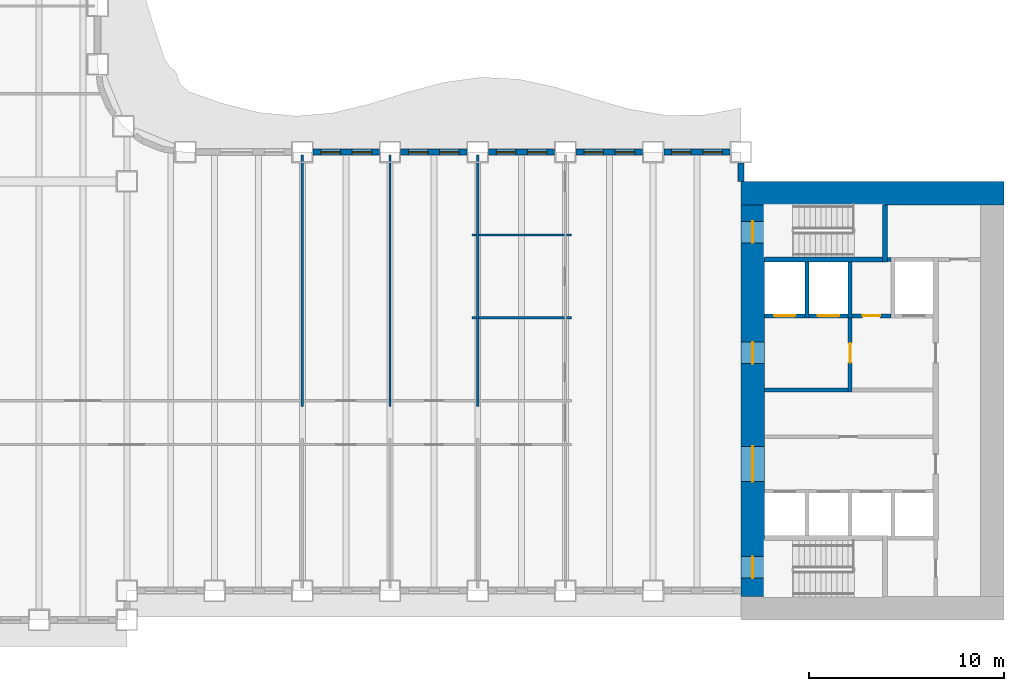
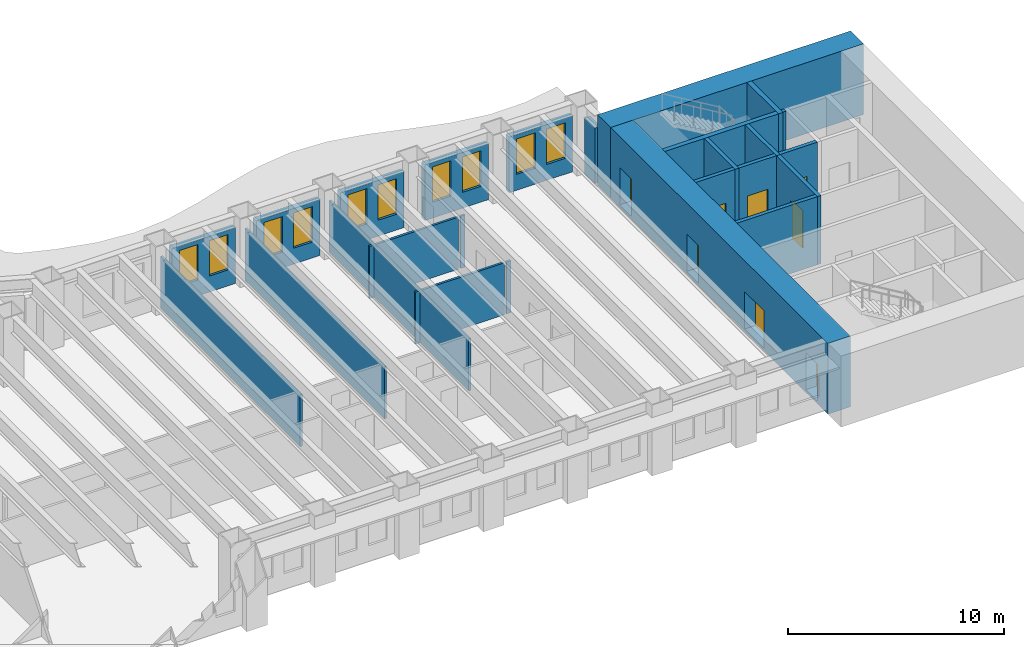
# One storey, part 6 of 15: 27 walls, 10 windows, 8 doors, 18 openings.
"""IFC4 building model written with IfcOpenShell, lengths in metres."""

from ifc_helpers import new_model, si_unit, direction, frame, frame_2d, origin, place, context, subcontext, project, spatial, rectangle, extrude, material, layer, layer_set, type_object, element, fill, save


model = new_model("IFC4")

# Units and contexts
model_context = context("Model", 3, precision=1e-05, world=origin(), true_north=direction((0.0, 1.0)))
body_context = subcontext(model_context, "Body", "Model", "MODEL_VIEW")
ifc_project = project(units=[si_unit("LENGTHUNIT", "METRE"), si_unit("AREAUNIT", "SQUARE_METRE"), si_unit("VOLUMEUNIT", "CUBIC_METRE"), si_unit("PLANEANGLEUNIT", "RADIAN"), si_unit("MASSUNIT", "GRAM", prefix="KILO")], contexts=[model_context])

# Site, building, storey
site_placement = place(None, origin())
site = spatial("IfcSite", under=ifc_project, at=site_placement, CompositionType="ELEMENT")
building_placement = place(site_placement, origin())
building = spatial("IfcBuilding", under=site, at=building_placement, Name="Sennacour Bend Tower", CompositionType="ELEMENT")
storey_placement = place(building_placement, frame((0.0, 0.0, 61.0)))
storey = spatial("IfcBuildingStorey", under=building, at=storey_placement, Name="L13", CompositionType="ELEMENT", Elevation=61.0)

# Wall
ifc_material_1 = material(Name="Concrete C80/95", Category="concrete")
ifc_layer_1 = layer(ifc_material_1, 1.199951171875, Name="Concrete C80/95", Category="concrete")
ifc_layer_set_1 = layer_set([ifc_layer_1], Name="Concrete C80/95")
wall_type_1 = type_object("IfcWallType", Name="Core wall 1200 C80/95", PredefinedType="SHEAR", material=ifc_layer_set_1)
wall_1_placement = place(storey_placement, frame((54.0, 21.89990234375, -0.14990234375), z_axis=(0.0, 0.0, 1.0), x_axis=(1.0, 0.0, 0.0)))
element("IfcWall", 1, at=wall_1_placement, inside=storey, type_object=wall_type_1, Name="Core A wall L13 N", PredefinedType="SHEAR", context=body_context, shape_type="SweptSolid", body=[
    extrude(rectangle(XDim=13.5, YDim=1.199951171875, at=frame_2d((6.75, 0.0))), origin(), (0.0, 0.0, 1.0), 4.0),
])

# Wall, openings, doors
wall_2_placement = place(storey_placement, frame((54.60009765625, 1.199951171875, -0.14990234375), z_axis=(0.0, 0.0, 1.0), x_axis=(0.0, 1.0, 0.0)))
wall_2 = element("IfcWall", 2, at=wall_2_placement, inside=storey, type_object=wall_type_1, Name="Core A wall L13 W", PredefinedType="SHEAR", context=body_context, shape_type="SweptSolid", body=[
    extrude(rectangle(XDim=20.10009765625, YDim=1.199951171875, at=frame_2d((10.050048828125, 0.0))), origin(), (0.0, 0.0, 1.0), 4.0),
])
opening_1_placement = place(wall_2_placement, frame((5.89990234375, 0.0, 0.14990234375)))
opening_1 = element("IfcOpeningElement", 3, at=opening_1_placement, cuts=wall_2, Name="Opening CD", PredefinedType="OPENING", context=body_context, shape_type="SweptSolid", body=[
    extrude(rectangle(XDim=1.800048828125, YDim=2.10009765625, at=frame_2d((0.89990234375, 1.050048828125))), frame((0.0, 0.60986328125, 0.0), z_axis=(0.0, -1.0, 0.0), x_axis=(1.0, 0.0, 0.0)), (0.0, 0.0, 1.0), 1.219970703125),
])
opening_2_placement = place(wall_2_placement, frame((11.949951171875, 0.0, 0.14990234375)))
opening_2 = element("IfcOpeningElement", 4, at=opening_2_placement, cuts=wall_2, Name="Opening FD", PredefinedType="OPENING", context=body_context, shape_type="SweptSolid", body=[
    extrude(rectangle(XDim=1.10009765625, YDim=2.10009765625, at=frame_2d((0.550048828125, 1.050048828125))), frame((0.0, 0.60986328125, 0.0), z_axis=(0.0, -1.0, 0.0), x_axis=(1.0, 0.0, 0.0)), (0.0, 0.0, 1.0), 1.219970703125),
])
opening_3_placement = place(wall_2_placement, frame((0.949951171875, 0.0, 0.14990234375)))
opening_3 = element("IfcOpeningElement", 5, at=opening_3_placement, cuts=wall_2, Name="Opening SD", PredefinedType="OPENING", context=body_context, shape_type="SweptSolid", body=[
    extrude(rectangle(XDim=1.10009765625, YDim=2.10009765625, at=frame_2d((0.550048828125, 1.050048828125))), frame((0.0, 0.60986328125, 0.0), z_axis=(0.0, -1.0, 0.0), x_axis=(1.0, 0.0, 0.0)), (0.0, 0.0, 1.0), 1.219970703125),
])
opening_4_placement = place(wall_2_placement, frame((18.14990234375, 0.0, 0.14990234375)))
opening_4 = element("IfcOpeningElement", 6, at=opening_4_placement, cuts=wall_2, Name="Opening SD", PredefinedType="OPENING", context=body_context, shape_type="SweptSolid", body=[
    extrude(rectangle(XDim=1.10009765625, YDim=2.10009765625, at=frame_2d((0.550048828125, 1.050048828125))), frame((0.0, 0.60986328125, 0.0), z_axis=(0.0, -1.0, 0.0), x_axis=(1.0, 0.0, 0.0)), (0.0, 0.0, 1.0), 1.219970703125),
])
ifc_material_2 = material(Name="Painted steel", Category="steel")
door_type_1 = type_object("IfcDoorType", Name="DR-FFL-1100", OperationType="NOTDEFINED", PredefinedType="DOOR", material=ifc_material_2)
door_1_placement = place(opening_2_placement, origin())
door_1 = element("IfcDoor", 7, at=door_1_placement, inside=storey, type_object=door_type_1, Name="Door", OperationType="SINGLE_SWING_RIGHT", OverallHeight=2.10009765625, OverallWidth=1.10009765625, PredefinedType="DOOR", context=body_context, shape_type="SweptSolid", body=[
    extrude(rectangle(XDim=1.10009765625, YDim=2.10009765625, at=frame_2d((0.550048828125, 1.050048828125))), frame((0.0, 0.02490234375, 0.0), z_axis=(0.0, -1.0, 0.0), x_axis=(1.0, 0.0, 0.0)), (0.0, 0.0, 1.0), 0.050048828125),
])
fill(opening_2, door_1)
door_type_2 = type_object("IfcDoorType", Name="DR-LOBBY-1800", OperationType="NOTDEFINED", PredefinedType="DOOR", material=ifc_material_2)
door_2_placement = place(opening_1_placement, origin())
door_2 = element("IfcDoor", 8, at=door_2_placement, inside=storey, type_object=door_type_2, Name="Door", OperationType="DOUBLE_DOOR_SINGLE_SWING", OverallHeight=2.10009765625, OverallWidth=1.800048828125, PredefinedType="DOOR", context=body_context, shape_type="SweptSolid", body=[
    extrude(rectangle(XDim=1.800048828125, YDim=2.10009765625, at=frame_2d((0.89990234375, 1.050048828125))), frame((0.0, 0.02490234375, 0.0), z_axis=(0.0, -1.0, 0.0), x_axis=(1.0, 0.0, 0.0)), (0.0, 0.0, 1.0), 0.050048828125),
])
fill(opening_1, door_2)
door_type_3 = type_object("IfcDoorType", Name="DR-STAIR-1100", OperationType="NOTDEFINED", PredefinedType="DOOR", material=ifc_material_2)
door_3_placement = place(opening_3_placement, origin())
door_3 = element("IfcDoor", 9, at=door_3_placement, inside=storey, type_object=door_type_3, Name="Door", OperationType="SINGLE_SWING_LEFT", OverallHeight=2.10009765625, OverallWidth=1.10009765625, PredefinedType="DOOR", context=body_context, shape_type="SweptSolid", body=[
    extrude(rectangle(XDim=1.10009765625, YDim=2.10009765625, at=frame_2d((0.550048828125, 1.050048828125))), frame((0.0, 0.02490234375, 0.0), z_axis=(0.0, -1.0, 0.0), x_axis=(1.0, 0.0, 0.0)), (0.0, 0.0, 1.0), 0.050048828125),
])
fill(opening_3, door_3)
door_4_placement = place(opening_4_placement, origin())
door_4 = element("IfcDoor", 10, at=door_4_placement, inside=storey, type_object=door_type_3, Name="Door", OperationType="SINGLE_SWING_RIGHT", OverallHeight=2.10009765625, OverallWidth=1.10009765625, PredefinedType="DOOR", context=body_context, shape_type="SweptSolid", body=[
    extrude(rectangle(XDim=1.10009765625, YDim=2.10009765625, at=frame_2d((0.550048828125, 1.050048828125))), frame((0.0, 0.02490234375, 0.0), z_axis=(0.0, -1.0, 0.0), x_axis=(1.0, 0.0, 0.0)), (0.0, 0.0, 1.0), 0.050048828125),
])
fill(opening_4, door_4)

# Walls
ifc_material_3 = material(Name="Plasterboard partition on steel studs", Category="steel")
ifc_layer_2 = layer(ifc_material_3, 0.1201171875, Name="Plasterboard partition on steel studs", Category="steel")
ifc_layer_set_2 = layer_set([ifc_layer_2], Name="Plasterboard partition on steel studs")
wall_type_2 = type_object("IfcWallType", Name="Partition 120", PredefinedType="PARTITIONING", material=ifc_layer_set_2)
for number, where, z_axis, x_axis, name in (
    (11, (31.5, 10.949951171875, 0.0), (0.0, 0.0, 1.0), (0.0, 1.0, 0.0), "P-L13-W024a"),
    (12, (36.0, 10.949951171875, 0.0), (0.0, 0.0, 1.0), (0.0, 1.0, 0.0), "P-L13-W026a"),
    (13, (40.5, 10.949951171875, 0.0), (0.0, 0.0, 1.0), (0.0, 1.0, 0.0), "P-L13-W028a"),
):
    element("IfcWall", number, at=place(storey_placement, frame(where, z_axis=z_axis, x_axis=x_axis)), inside=storey, type_object=wall_type_2, Name=name, PredefinedType="PARTITIONING", context=body_context, shape_type="SweptSolid", body=[
        extrude(rectangle(XDim=12.900146484375, YDim=0.1201171875, at=frame_2d((6.4501953125, 0.0))), origin(), (0.0, 0.0, 1.0), 2.93798828125),
    ])
wall_3_placement = place(storey_placement, frame((40.199951171875, 15.5, 0.0), z_axis=(0.0, 0.0, 1.0), x_axis=(1.0, 0.0, 0.0)))
element("IfcWall", 14, at=wall_3_placement, inside=storey, type_object=wall_type_2, Name="P-L13-W055aa", PredefinedType="PARTITIONING", context=body_context, shape_type="SweptSolid", body=[
    extrude(rectangle(XDim=0.239990234375, YDim=0.1201171875, at=frame_2d((0.1201171875, 0.0))), origin(), (0.0, 0.0, 1.0), 2.93798828125),
])
wall_4_placement = place(storey_placement, frame((40.56005859375, 15.5, 0.0), z_axis=(0.0, 0.0, 1.0), x_axis=(1.0, 0.0, 0.0)))
element("IfcWall", 15, at=wall_4_placement, inside=storey, type_object=wall_type_2, Name="P-L13-W055ab", PredefinedType="PARTITIONING", context=body_context, shape_type="SweptSolid", body=[
    extrude(rectangle(XDim=4.3798828125, YDim=0.1201171875, at=frame_2d((2.18994140625, 0.0))), origin(), (0.0, 0.0, 1.0), 2.93798828125),
])
for number, where, z_axis, x_axis, name in (
    (16, (45.06005859375, 15.5, 0.0), (0.0, 0.0, 1.0), (1.0, 0.0, 0.0), "P-L13-W055ac"),
    (17, (40.199951171875, 19.75, 0.0), (0.0, 0.0, 1.0), (1.0, 0.0, 0.0), "P-L13-W064aa"),
):
    element("IfcWall", number, at=place(storey_placement, frame(where, z_axis=z_axis, x_axis=x_axis)), inside=storey, type_object=wall_type_2, Name=name, PredefinedType="PARTITIONING", context=body_context, shape_type="SweptSolid", body=[
        extrude(rectangle(XDim=0.239990234375, YDim=0.1201171875, at=frame_2d((0.1201171875, 0.0))), origin(), (0.0, 0.0, 1.0), 2.93798828125),
    ])
wall_5_placement = place(storey_placement, frame((40.56005859375, 19.75, 0.0), z_axis=(0.0, 0.0, 1.0), x_axis=(1.0, 0.0, 0.0)))
element("IfcWall", 18, at=wall_5_placement, inside=storey, type_object=wall_type_2, Name="P-L13-W064ab", PredefinedType="PARTITIONING", context=body_context, shape_type="SweptSolid", body=[
    extrude(rectangle(XDim=4.3798828125, YDim=0.1201171875, at=frame_2d((2.18994140625, 0.0))), origin(), (0.0, 0.0, 1.0), 2.93798828125),
])
wall_6_placement = place(storey_placement, frame((45.06005859375, 19.75, 0.0), z_axis=(0.0, 0.0, 1.0), x_axis=(1.0, 0.0, 0.0)))
element("IfcWall", 19, at=wall_6_placement, inside=storey, type_object=wall_type_2, Name="P-L13-W064ac", PredefinedType="PARTITIONING", context=body_context, shape_type="SweptSolid", body=[
    extrude(rectangle(XDim=0.239990234375, YDim=0.1201171875, at=frame_2d((0.1201171875, 0.0))), origin(), (0.0, 0.0, 1.0), 2.93798828125),
])
ifc_material_4 = material(Name="Fire-rated plasterboard partition on steel studs", Category="steel")
ifc_layer_3 = layer(ifc_material_4, 0.199951171875, Name="Fire-rated plasterboard partition on steel studs", Category="steel")
ifc_layer_set_3 = layer_set([ifc_layer_3], Name="Fire-rated plasterboard partition on steel studs")
wall_type_3 = type_object("IfcWallType", Name="Rated partition 200", PredefinedType="PARTITIONING", material=ifc_layer_set_3)
wall_7_placement = place(storey_placement, frame((55.199951171875, 11.800048828125, 0.0), z_axis=(0.0, 0.0, 1.0), x_axis=(1.0, 0.0, 0.0)))
element("IfcWall", 20, at=wall_7_placement, inside=storey, type_object=wall_type_3, Name="P-L13-W054a", PredefinedType="PARTITIONING", context=body_context, shape_type="SweptSolid", body=[
    extrude(rectangle(XDim=4.300048828125, YDim=0.199951171875, at=frame_2d((2.14990234375, 0.0))), origin(), (0.0, 0.0, 1.0), 3.85009765625),
])

# Wall, opening, door
wall_8_placement = place(storey_placement, frame((59.699951171875, 15.60009765625, 0.0), z_axis=(0.0, 0.0, 1.0), x_axis=(1.0, 0.0, 0.0)))
wall_8 = element("IfcWall", 21, at=wall_8_placement, inside=storey, type_object=wall_type_3, Name="P-L13-W057", PredefinedType="PARTITIONING", context=body_context, shape_type="SweptSolid", body=[
    extrude(rectangle(XDim=2.0, YDim=0.199951171875, at=frame_2d((1.0, 0.0))), origin(), (0.0, 0.0, 1.0), 3.85009765625),
])
opening_5_placement = place(wall_8_placement, frame((0.550048828125, 0.0, 0.0)))
opening_5 = element("IfcOpeningElement", 22, at=opening_5_placement, cuts=wall_8, Name="Opening SV", PredefinedType="OPENING", context=body_context, shape_type="SweptSolid", body=[
    extrude(rectangle(XDim=0.89990234375, YDim=2.10009765625, at=frame_2d((0.449951171875, 1.050048828125))), frame((0.0, 0.10986328125, 0.0), z_axis=(0.0, -1.0, 0.0), x_axis=(1.0, 0.0, 0.0)), (0.0, 0.0, 1.0), 0.219970703125),
])
door_type_4 = type_object("IfcDoorType", Name="DR-SERVICE-900", OperationType="NOTDEFINED", PredefinedType="DOOR", material=ifc_material_2)
door_5_placement = place(opening_5_placement, origin())
door_5 = element("IfcDoor", 23, at=door_5_placement, inside=storey, type_object=door_type_4, Name="Door", OperationType="SINGLE_SWING_RIGHT", OverallHeight=2.10009765625, OverallWidth=0.89990234375, PredefinedType="DOOR", context=body_context, shape_type="SweptSolid", body=[
    extrude(rectangle(XDim=0.89990234375, YDim=2.10009765625, at=frame_2d((0.449951171875, 1.050048828125))), frame((0.0, 0.02490234375, 0.0), z_axis=(0.0, -1.0, 0.0), x_axis=(1.0, 0.0, 0.0)), (0.0, 0.0, 1.0), 0.050048828125),
])
fill(opening_5, door_5)

# Wall
wall_9_placement = place(storey_placement, frame((61.52490234375, 18.5, 0.0), z_axis=(0.0, 0.0, 1.0), x_axis=(1.0, 0.0, 0.0)))
element("IfcWall", 24, at=wall_9_placement, inside=storey, type_object=wall_type_3, Name="P-L13-W061", PredefinedType="PARTITIONING", context=body_context, shape_type="SweptSolid", body=[
    extrude(rectangle(XDim=0.175048828125, YDim=0.199951171875, at=frame_2d((0.08740234375, 0.0))), origin(), (0.0, 0.0, 1.0), 3.85009765625),
])

# Wall, opening, door
ifc_layer_4 = layer(ifc_material_4, 0.199951171875, Name="Fire-rated plasterboard partition on steel studs", Category="steel")
ifc_layer_set_4 = layer_set([ifc_layer_4], Name="Fire-rated plasterboard partition on steel studs")
wall_type_4 = type_object("IfcWallType", Name="Rated partition 200 EI 90", PredefinedType="PARTITIONING", material=ifc_layer_set_4)
wall_10_placement = place(storey_placement, frame((59.60009765625, 11.699951171875, 0.0), z_axis=(0.0, 0.0, 1.0), x_axis=(0.0, 1.0, 0.0)))
wall_10 = element("IfcWall", 25, at=wall_10_placement, inside=storey, type_object=wall_type_4, Name="P-L13-W034", PredefinedType="PARTITIONING", context=body_context, shape_type="SweptSolid", body=[
    extrude(rectangle(XDim=3.800048828125, YDim=0.199951171875, at=frame_2d((1.89990234375, 0.0))), origin(), (0.0, 0.0, 1.0), 3.85009765625),
])
opening_6_placement = place(wall_10_placement, frame((1.5, 0.0, 0.0)))
opening_6 = element("IfcOpeningElement", 26, at=opening_6_placement, cuts=wall_10, Name="Opening FD2", PredefinedType="OPENING", context=body_context, shape_type="SweptSolid", body=[
    extrude(rectangle(XDim=1.0, YDim=2.10009765625, at=frame_2d((0.5, 1.050048828125))), frame((0.0, 0.10986328125, 0.0), z_axis=(0.0, -1.0, 0.0), x_axis=(1.0, 0.0, 0.0)), (0.0, 0.0, 1.0), 0.219970703125),
])
door_type_5 = type_object("IfcDoorType", Name="DR-FFL-1000", OperationType="NOTDEFINED", PredefinedType="DOOR", material=ifc_material_2)
door_6_placement = place(opening_6_placement, origin())
door_6 = element("IfcDoor", 27, at=door_6_placement, inside=storey, type_object=door_type_5, Name="Door", OperationType="SINGLE_SWING_RIGHT", OverallHeight=2.10009765625, OverallWidth=1.0, PredefinedType="DOOR", context=body_context, shape_type="SweptSolid", body=[
    extrude(rectangle(XDim=1.0, YDim=2.10009765625, at=frame_2d((0.5, 1.050048828125))), frame((0.0, 0.02490234375, 0.0), z_axis=(0.0, -1.0, 0.0), x_axis=(1.0, 0.0, 0.0)), (0.0, 0.0, 1.0), 0.050048828125),
])
fill(opening_6, door_6)

# Wall
ifc_material_5 = material(Name="Warm limestone cladding", Category="masonry")
ifc_layer_5 = layer(ifc_material_5, 0.050048828125, Name="Warm limestone cladding", Category="masonry")
ifc_material_6 = material(Name="Precast concrete C40/50", Category="concrete")
ifc_layer_6 = layer(ifc_material_6, 0.25, Name="Precast concrete C40/50", Category="concrete")
ifc_layer_set_5 = layer_set([ifc_layer_5, ifc_layer_6], Name="Precast concrete C40/50 with limestone cladding")
wall_type_5 = type_object("IfcWallType", Name="STONE-CLAD PRECAST SPANDREL 300", PredefinedType="STANDARD", material=ifc_layer_set_5)
wall_11_placement = place(storey_placement, frame((54.0, 22.5, 0.0), z_axis=(0.0, 0.0, 1.0), x_axis=(0.0, 1.0, 0.0)))
element("IfcWall", 28, at=wall_11_placement, inside=storey, type_object=wall_type_5, Name="Stone spandrel and pier wall L13 07.00", PredefinedType="STANDARD", context=body_context, shape_type="SweptSolid", body=[
    extrude(rectangle(XDim=0.949951171875, YDim=0.300048828125, at=frame_2d((0.47509765625, 0.0))), origin(), (0.0, 0.0, 1.0), 3.14404296875),
])

# Wall, openings, windows
wall_12_placement = place(storey_placement, frame((53.449951171875, 24.0, 0.0), z_axis=(0.0, 0.0, 1.0), x_axis=(-1.0, 0.0, 0.0)))
wall_12 = element("IfcWall", 29, at=wall_12_placement, inside=storey, type_object=wall_type_5, Name="Stone spandrel and pier wall L13 08.00", PredefinedType="STANDARD", context=body_context, shape_type="SweptSolid", body=[
    extrude(rectangle(XDim=3.39990234375, YDim=0.300048828125, at=frame_2d((1.699951171875, 0.0))), origin(), (0.0, 0.0, 1.0), 3.14404296875),
])
opening_7_placement = place(wall_12_placement, frame((0.39990234375, 0.0, 0.89990234375)))
opening_7 = element("IfcOpeningElement", 30, at=opening_7_placement, cuts=wall_12, Name="Opening W8", PredefinedType="OPENING", context=body_context, shape_type="SweptSolid", body=[
    extrude(rectangle(XDim=1.0, YDim=2.0, at=frame_2d((0.5, 1.0))), frame((0.0, 0.16015625, 0.0), z_axis=(0.0, -1.0, 0.0), x_axis=(1.0, 0.0, 0.0)), (0.0, 0.0, 1.0), 0.320068359375),
])
opening_8_placement = place(wall_12_placement, frame((2.0, 0.0, 0.89990234375)))
opening_8 = element("IfcOpeningElement", 31, at=opening_8_placement, cuts=wall_12, Name="Opening W8", PredefinedType="OPENING", context=body_context, shape_type="SweptSolid", body=[
    extrude(rectangle(XDim=1.0, YDim=2.0, at=frame_2d((0.5, 1.0))), frame((0.0, 0.16015625, 0.0), z_axis=(0.0, -1.0, 0.0), x_axis=(1.0, 0.0, 0.0)), (0.0, 0.0, 1.0), 0.320068359375),
])
ifc_material_7 = material(Name="Clear low-emissivity glass", Category="glass")
window_type = type_object("IfcWindowType", Name="WIN-RIBBON-1000x2000", PartitioningType="SINGLE_PANEL", PredefinedType="WINDOW", material=ifc_material_7)
window_1_placement = place(opening_7_placement, origin())
window_1 = element("IfcWindow", 32, at=window_1_placement, inside=storey, type_object=window_type, Name="Ribbon window L13 08.00.0", OverallHeight=2.0, OverallWidth=1.0, PartitioningType="SINGLE_PANEL", PredefinedType="WINDOW", context=body_context, shape_type="SweptSolid", body=[
    extrude(rectangle(XDim=1.0, YDim=2.0, at=frame_2d((0.5, 1.0))), frame((0.0, 0.030029296875, 0.0), z_axis=(0.0, -1.0, 0.0), x_axis=(1.0, 0.0, 0.0)), (0.0, 0.0, 1.0), 0.06005859375),
])
fill(opening_7, window_1)
window_2_placement = place(opening_8_placement, origin())
window_2 = element("IfcWindow", 33, at=window_2_placement, inside=storey, type_object=window_type, Name="Ribbon window L13 08.00.1", OverallHeight=2.0, OverallWidth=1.0, PartitioningType="SINGLE_PANEL", PredefinedType="WINDOW", context=body_context, shape_type="SweptSolid", body=[
    extrude(rectangle(XDim=1.0, YDim=2.0, at=frame_2d((0.5, 1.0))), frame((0.0, 0.030029296875, 0.0), z_axis=(0.0, -1.0, 0.0), x_axis=(1.0, 0.0, 0.0)), (0.0, 0.0, 1.0), 0.06005859375),
])
fill(opening_8, window_2)

wall_13_placement = place(storey_placement, frame((48.949951171875, 24.0, 0.0), z_axis=(0.0, 0.0, 1.0), x_axis=(-1.0, 0.0, 0.0)))
wall_13 = element("IfcWall", 34, at=wall_13_placement, inside=storey, type_object=wall_type_5, Name="Stone spandrel and pier wall L13 08.01", PredefinedType="STANDARD", context=body_context, shape_type="SweptSolid", body=[
    extrude(rectangle(XDim=3.39990234375, YDim=0.300048828125, at=frame_2d((1.699951171875, 0.0))), origin(), (0.0, 0.0, 1.0), 3.14404296875),
])
opening_9_placement = place(wall_13_placement, frame((0.39990234375, 0.0, 0.89990234375)))
opening_9 = element("IfcOpeningElement", 35, at=opening_9_placement, cuts=wall_13, Name="Opening W8", PredefinedType="OPENING", context=body_context, shape_type="SweptSolid", body=[
    extrude(rectangle(XDim=1.0, YDim=2.0, at=frame_2d((0.5, 1.0))), frame((0.0, 0.16015625, 0.0), z_axis=(0.0, -1.0, 0.0), x_axis=(1.0, 0.0, 0.0)), (0.0, 0.0, 1.0), 0.320068359375),
])
opening_10_placement = place(wall_13_placement, frame((2.0, 0.0, 0.89990234375)))
opening_10 = element("IfcOpeningElement", 36, at=opening_10_placement, cuts=wall_13, Name="Opening W8", PredefinedType="OPENING", context=body_context, shape_type="SweptSolid", body=[
    extrude(rectangle(XDim=1.0, YDim=2.0, at=frame_2d((0.5, 1.0))), frame((0.0, 0.16015625, 0.0), z_axis=(0.0, -1.0, 0.0), x_axis=(1.0, 0.0, 0.0)), (0.0, 0.0, 1.0), 0.320068359375),
])
window_3_placement = place(opening_9_placement, origin())
window_3 = element("IfcWindow", 37, at=window_3_placement, inside=storey, type_object=window_type, Name="Ribbon window L13 08.01.0", OverallHeight=2.0, OverallWidth=1.0, PartitioningType="SINGLE_PANEL", PredefinedType="WINDOW", context=body_context, shape_type="SweptSolid", body=[
    extrude(rectangle(XDim=1.0, YDim=2.0, at=frame_2d((0.5, 1.0))), frame((0.0, 0.030029296875, 0.0), z_axis=(0.0, -1.0, 0.0), x_axis=(1.0, 0.0, 0.0)), (0.0, 0.0, 1.0), 0.06005859375),
])
fill(opening_9, window_3)
window_4_placement = place(opening_10_placement, origin())
window_4 = element("IfcWindow", 38, at=window_4_placement, inside=storey, type_object=window_type, Name="Ribbon window L13 08.01.1", OverallHeight=2.0, OverallWidth=1.0, PartitioningType="SINGLE_PANEL", PredefinedType="WINDOW", context=body_context, shape_type="SweptSolid", body=[
    extrude(rectangle(XDim=1.0, YDim=2.0, at=frame_2d((0.5, 1.0))), frame((0.0, 0.030029296875, 0.0), z_axis=(0.0, -1.0, 0.0), x_axis=(1.0, 0.0, 0.0)), (0.0, 0.0, 1.0), 0.06005859375),
])
fill(opening_10, window_4)

wall_14_placement = place(storey_placement, frame((44.449951171875, 24.0, 0.0), z_axis=(0.0, 0.0, 1.0), x_axis=(-1.0, 0.0, 0.0)))
wall_14 = element("IfcWall", 39, at=wall_14_placement, inside=storey, type_object=wall_type_5, Name="Stone spandrel and pier wall L13 08.02", PredefinedType="STANDARD", context=body_context, shape_type="SweptSolid", body=[
    extrude(rectangle(XDim=3.39990234375, YDim=0.300048828125, at=frame_2d((1.699951171875, 0.0))), origin(), (0.0, 0.0, 1.0), 3.14404296875),
])
opening_11_placement = place(wall_14_placement, frame((0.39990234375, 0.0, 0.89990234375)))
opening_11 = element("IfcOpeningElement", 40, at=opening_11_placement, cuts=wall_14, Name="Opening W8", PredefinedType="OPENING", context=body_context, shape_type="SweptSolid", body=[
    extrude(rectangle(XDim=1.0, YDim=2.0, at=frame_2d((0.5, 1.0))), frame((0.0, 0.16015625, 0.0), z_axis=(0.0, -1.0, 0.0), x_axis=(1.0, 0.0, 0.0)), (0.0, 0.0, 1.0), 0.320068359375),
])
opening_12_placement = place(wall_14_placement, frame((2.0, 0.0, 0.89990234375)))
opening_12 = element("IfcOpeningElement", 41, at=opening_12_placement, cuts=wall_14, Name="Opening W8", PredefinedType="OPENING", context=body_context, shape_type="SweptSolid", body=[
    extrude(rectangle(XDim=1.0, YDim=2.0, at=frame_2d((0.5, 1.0))), frame((0.0, 0.16015625, 0.0), z_axis=(0.0, -1.0, 0.0), x_axis=(1.0, 0.0, 0.0)), (0.0, 0.0, 1.0), 0.320068359375),
])
window_5_placement = place(opening_11_placement, origin())
window_5 = element("IfcWindow", 42, at=window_5_placement, inside=storey, type_object=window_type, Name="Ribbon window L13 08.02.0", OverallHeight=2.0, OverallWidth=1.0, PartitioningType="SINGLE_PANEL", PredefinedType="WINDOW", context=body_context, shape_type="SweptSolid", body=[
    extrude(rectangle(XDim=1.0, YDim=2.0, at=frame_2d((0.5, 1.0))), frame((0.0, 0.030029296875, 0.0), z_axis=(0.0, -1.0, 0.0), x_axis=(1.0, 0.0, 0.0)), (0.0, 0.0, 1.0), 0.06005859375),
])
fill(opening_11, window_5)
window_6_placement = place(opening_12_placement, origin())
window_6 = element("IfcWindow", 43, at=window_6_placement, inside=storey, type_object=window_type, Name="Ribbon window L13 08.02.1", OverallHeight=2.0, OverallWidth=1.0, PartitioningType="SINGLE_PANEL", PredefinedType="WINDOW", context=body_context, shape_type="SweptSolid", body=[
    extrude(rectangle(XDim=1.0, YDim=2.0, at=frame_2d((0.5, 1.0))), frame((0.0, 0.030029296875, 0.0), z_axis=(0.0, -1.0, 0.0), x_axis=(1.0, 0.0, 0.0)), (0.0, 0.0, 1.0), 0.06005859375),
])
fill(opening_12, window_6)

wall_15_placement = place(storey_placement, frame((39.949951171875, 24.0, 0.0), z_axis=(0.0, 0.0, 1.0), x_axis=(-1.0, 0.0, 0.0)))
wall_15 = element("IfcWall", 44, at=wall_15_placement, inside=storey, type_object=wall_type_5, Name="Stone spandrel and pier wall L13 08.03", PredefinedType="STANDARD", context=body_context, shape_type="SweptSolid", body=[
    extrude(rectangle(XDim=3.39990234375, YDim=0.300048828125, at=frame_2d((1.699951171875, 0.0))), origin(), (0.0, 0.0, 1.0), 3.14404296875),
])
opening_13_placement = place(wall_15_placement, frame((0.39990234375, 0.0, 0.89990234375)))
opening_13 = element("IfcOpeningElement", 45, at=opening_13_placement, cuts=wall_15, Name="Opening W8", PredefinedType="OPENING", context=body_context, shape_type="SweptSolid", body=[
    extrude(rectangle(XDim=1.0, YDim=2.0, at=frame_2d((0.5, 1.0))), frame((0.0, 0.16015625, 0.0), z_axis=(0.0, -1.0, 0.0), x_axis=(1.0, 0.0, 0.0)), (0.0, 0.0, 1.0), 0.320068359375),
])
opening_14_placement = place(wall_15_placement, frame((2.0, 0.0, 0.89990234375)))
opening_14 = element("IfcOpeningElement", 46, at=opening_14_placement, cuts=wall_15, Name="Opening W8", PredefinedType="OPENING", context=body_context, shape_type="SweptSolid", body=[
    extrude(rectangle(XDim=1.0, YDim=2.0, at=frame_2d((0.5, 1.0))), frame((0.0, 0.16015625, 0.0), z_axis=(0.0, -1.0, 0.0), x_axis=(1.0, 0.0, 0.0)), (0.0, 0.0, 1.0), 0.320068359375),
])
window_7_placement = place(opening_13_placement, origin())
window_7 = element("IfcWindow", 47, at=window_7_placement, inside=storey, type_object=window_type, Name="Ribbon window L13 08.03.0", OverallHeight=2.0, OverallWidth=1.0, PartitioningType="SINGLE_PANEL", PredefinedType="WINDOW", context=body_context, shape_type="SweptSolid", body=[
    extrude(rectangle(XDim=1.0, YDim=2.0, at=frame_2d((0.5, 1.0))), frame((0.0, 0.030029296875, 0.0), z_axis=(0.0, -1.0, 0.0), x_axis=(1.0, 0.0, 0.0)), (0.0, 0.0, 1.0), 0.06005859375),
])
fill(opening_13, window_7)
window_8_placement = place(opening_14_placement, origin())
window_8 = element("IfcWindow", 48, at=window_8_placement, inside=storey, type_object=window_type, Name="Ribbon window L13 08.03.1", OverallHeight=2.0, OverallWidth=1.0, PartitioningType="SINGLE_PANEL", PredefinedType="WINDOW", context=body_context, shape_type="SweptSolid", body=[
    extrude(rectangle(XDim=1.0, YDim=2.0, at=frame_2d((0.5, 1.0))), frame((0.0, 0.030029296875, 0.0), z_axis=(0.0, -1.0, 0.0), x_axis=(1.0, 0.0, 0.0)), (0.0, 0.0, 1.0), 0.06005859375),
])
fill(opening_14, window_8)

wall_16_placement = place(storey_placement, frame((35.449951171875, 24.0, 0.0), z_axis=(0.0, 0.0, 1.0), x_axis=(-1.0, 0.0, 0.0)))
wall_16 = element("IfcWall", 49, at=wall_16_placement, inside=storey, type_object=wall_type_5, Name="Stone spandrel and pier wall L13 08.04", PredefinedType="STANDARD", context=body_context, shape_type="SweptSolid", body=[
    extrude(rectangle(XDim=3.39990234375, YDim=0.300048828125, at=frame_2d((1.699951171875, 0.0))), origin(), (0.0, 0.0, 1.0), 3.14404296875),
])
opening_15_placement = place(wall_16_placement, frame((0.39990234375, 0.0, 0.89990234375)))
opening_15 = element("IfcOpeningElement", 50, at=opening_15_placement, cuts=wall_16, Name="Opening W8", PredefinedType="OPENING", context=body_context, shape_type="SweptSolid", body=[
    extrude(rectangle(XDim=1.0, YDim=2.0, at=frame_2d((0.5, 1.0))), frame((0.0, 0.16015625, 0.0), z_axis=(0.0, -1.0, 0.0), x_axis=(1.0, 0.0, 0.0)), (0.0, 0.0, 1.0), 0.320068359375),
])
opening_16_placement = place(wall_16_placement, frame((2.0, 0.0, 0.89990234375)))
opening_16 = element("IfcOpeningElement", 51, at=opening_16_placement, cuts=wall_16, Name="Opening W8", PredefinedType="OPENING", context=body_context, shape_type="SweptSolid", body=[
    extrude(rectangle(XDim=1.0, YDim=2.0, at=frame_2d((0.5, 1.0))), frame((0.0, 0.16015625, 0.0), z_axis=(0.0, -1.0, 0.0), x_axis=(1.0, 0.0, 0.0)), (0.0, 0.0, 1.0), 0.320068359375),
])
window_9_placement = place(opening_15_placement, origin())
window_9 = element("IfcWindow", 52, at=window_9_placement, inside=storey, type_object=window_type, Name="Ribbon window L13 08.04.0", OverallHeight=2.0, OverallWidth=1.0, PartitioningType="SINGLE_PANEL", PredefinedType="WINDOW", context=body_context, shape_type="SweptSolid", body=[
    extrude(rectangle(XDim=1.0, YDim=2.0, at=frame_2d((0.5, 1.0))), frame((0.0, 0.030029296875, 0.0), z_axis=(0.0, -1.0, 0.0), x_axis=(1.0, 0.0, 0.0)), (0.0, 0.0, 1.0), 0.06005859375),
])
fill(opening_15, window_9)
window_10_placement = place(opening_16_placement, origin())
window_10 = element("IfcWindow", 53, at=window_10_placement, inside=storey, type_object=window_type, Name="Ribbon window L13 08.04.1", OverallHeight=2.0, OverallWidth=1.0, PartitioningType="SINGLE_PANEL", PredefinedType="WINDOW", context=body_context, shape_type="SweptSolid", body=[
    extrude(rectangle(XDim=1.0, YDim=2.0, at=frame_2d((0.5, 1.0))), frame((0.0, 0.030029296875, 0.0), z_axis=(0.0, -1.0, 0.0), x_axis=(1.0, 0.0, 0.0)), (0.0, 0.0, 1.0), 0.06005859375),
])
fill(opening_16, window_10)

# Walls
ifc_material_8 = material(Name="Concrete C50/60", Category="concrete")
ifc_layer_7 = layer(ifc_material_8, 0.199951171875, Name="Concrete C50/60", Category="concrete")
ifc_layer_set_6 = layer_set([ifc_layer_7], Name="Concrete C50/60")
wall_type_6 = type_object("IfcWallType", Name="Shaft wall 200", PredefinedType="SOLIDWALL", material=ifc_layer_set_6)
for number, where, z_axis, x_axis, name in (
    (54, (57.39990234375, 15.5, 0.0), (0.0, 0.0, 1.0), (0.0, 1.0, 0.0), "P-L13-W032"),
    (55, (59.60009765625, 15.5, 0.0), (0.0, 0.0, 1.0), (0.0, 1.0, 0.0), "P-L13-W035"),
):
    element("IfcWall", number, at=place(storey_placement, frame(where, z_axis=z_axis, x_axis=x_axis)), inside=storey, type_object=wall_type_6, Name=name, PredefinedType="SOLIDWALL", context=body_context, shape_type="SweptSolid", body=[
        extrude(rectangle(XDim=2.875, YDim=0.199951171875, at=frame_2d((1.4375, 0.0))), origin(), (0.0, 0.0, 1.0), 3.85009765625),
    ])

# Wall, opening, door
wall_17_placement = place(storey_placement, frame((55.199951171875, 15.60009765625, 0.0), z_axis=(0.0, 0.0, 1.0), x_axis=(1.0, 0.0, 0.0)))
wall_17 = element("IfcWall", 56, at=wall_17_placement, inside=storey, type_object=wall_type_6, Name="P-L13-W056a", PredefinedType="SOLIDWALL", context=body_context, shape_type="SweptSolid", body=[
    extrude(rectangle(XDim=2.10009765625, YDim=0.199951171875, at=frame_2d((1.050048828125, 0.0))), origin(), (0.0, 0.0, 1.0), 3.85009765625),
])
opening_17_placement = place(wall_17_placement, frame((0.5, 0.0, 0.011962890625)))
opening_17 = element("IfcOpeningElement", 57, at=opening_17_placement, cuts=wall_17, Name="Opening FLD", PredefinedType="OPENING", context=body_context, shape_type="SweptSolid", body=[
    extrude(rectangle(XDim=1.10009765625, YDim=2.10009765625, at=frame_2d((0.550048828125, 1.050048828125))), frame((0.0, 0.10986328125, 0.0), z_axis=(0.0, -1.0, 0.0), x_axis=(1.0, 0.0, 0.0)), (0.0, 0.0, 1.0), 0.219970703125),
])
ifc_material_9 = material(Name="Stainless steel", Category="steel")
door_type_6 = type_object("IfcDoorType", Name="DR-FF-LANDING-1100", OperationType="NOTDEFINED", PredefinedType="DOOR", material=ifc_material_9)
door_7_placement = place(opening_17_placement, origin())
door_7 = element("IfcDoor", 58, at=door_7_placement, inside=storey, type_object=door_type_6, Name="Fire service lift landing door FA1", OperationType="SLIDING_TO_LEFT", OverallHeight=2.10009765625, OverallWidth=1.10009765625, PredefinedType="DOOR", context=body_context, shape_type="SweptSolid", body=[
    extrude(rectangle(XDim=1.10009765625, YDim=2.10009765625, at=frame_2d((0.550048828125, 1.050048828125))), frame((0.0, 0.02490234375, 0.0), z_axis=(0.0, -1.0, 0.0), x_axis=(1.0, 0.0, 0.0)), (0.0, 0.0, 1.0), 0.050048828125),
])
fill(opening_17, door_7)

wall_18_placement = place(storey_placement, frame((57.5, 15.60009765625, 0.0), z_axis=(0.0, 0.0, 1.0), x_axis=(1.0, 0.0, 0.0)))
wall_18 = element("IfcWall", 59, at=wall_18_placement, inside=storey, type_object=wall_type_6, Name="P-L13-W056b", PredefinedType="SOLIDWALL", context=body_context, shape_type="SweptSolid", body=[
    extrude(rectangle(XDim=2.0, YDim=0.199951171875, at=frame_2d((1.0, 0.0))), origin(), (0.0, 0.0, 1.0), 3.85009765625),
])
opening_18_placement = place(wall_18_placement, frame((0.449951171875, 0.0, 0.011962890625)))
opening_18 = element("IfcOpeningElement", 60, at=opening_18_placement, cuts=wall_18, Name="Opening FLD", PredefinedType="OPENING", context=body_context, shape_type="SweptSolid", body=[
    extrude(rectangle(XDim=1.10009765625, YDim=2.10009765625, at=frame_2d((0.550048828125, 1.050048828125))), frame((0.0, 0.10986328125, 0.0), z_axis=(0.0, -1.0, 0.0), x_axis=(1.0, 0.0, 0.0)), (0.0, 0.0, 1.0), 0.219970703125),
])
door_8_placement = place(opening_18_placement, origin())
door_8 = element("IfcDoor", 61, at=door_8_placement, inside=storey, type_object=door_type_6, Name="Fire service lift landing door FA2", OperationType="SLIDING_TO_RIGHT", OverallHeight=2.10009765625, OverallWidth=1.10009765625, PredefinedType="DOOR", context=body_context, shape_type="SweptSolid", body=[
    extrude(rectangle(XDim=1.10009765625, YDim=2.10009765625, at=frame_2d((0.550048828125, 1.050048828125))), frame((0.0, 0.02490234375, 0.0), z_axis=(0.0, -1.0, 0.0), x_axis=(1.0, 0.0, 0.0)), (0.0, 0.0, 1.0), 0.050048828125),
])
fill(opening_18, door_8)

# Walls
ifc_material_10 = material(Name="Concrete C60/75", Category="concrete")
ifc_layer_8 = layer(ifc_material_10, 0.25, Name="Concrete C60/75", Category="concrete")
ifc_layer_set_7 = layer_set([ifc_layer_8], Name="Concrete C60/75")
wall_type_7 = type_object("IfcWallType", Name="Stair wall 250", PredefinedType="SHEAR", material=ifc_layer_set_7)
wall_19_placement = place(storey_placement, frame((61.39990234375, 18.375, 0.0), z_axis=(0.0, 0.0, 1.0), x_axis=(0.0, 1.0, 0.0)))
element("IfcWall", 62, at=wall_19_placement, inside=storey, type_object=wall_type_7, Name="P-L13-W037", PredefinedType="SHEAR", context=body_context, shape_type="SweptSolid", body=[
    extrude(rectangle(XDim=2.925048828125, YDim=0.25, at=frame_2d((1.46240234375, 0.0))), origin(), (0.0, 0.0, 1.0), 3.85009765625),
])
wall_20_placement = place(storey_placement, frame((55.199951171875, 18.5, 0.0), z_axis=(0.0, 0.0, 1.0), x_axis=(1.0, 0.0, 0.0)))
element("IfcWall", 63, at=wall_20_placement, inside=storey, type_object=wall_type_7, Name="P-L13-W060", PredefinedType="SHEAR", context=body_context, shape_type="SweptSolid", body=[
    extrude(rectangle(XDim=6.074951171875, YDim=0.25, at=frame_2d((3.03759765625, 0.0))), origin(), (0.0, 0.0, 1.0), 3.85009765625),
])

save(model, "model.ifc")
